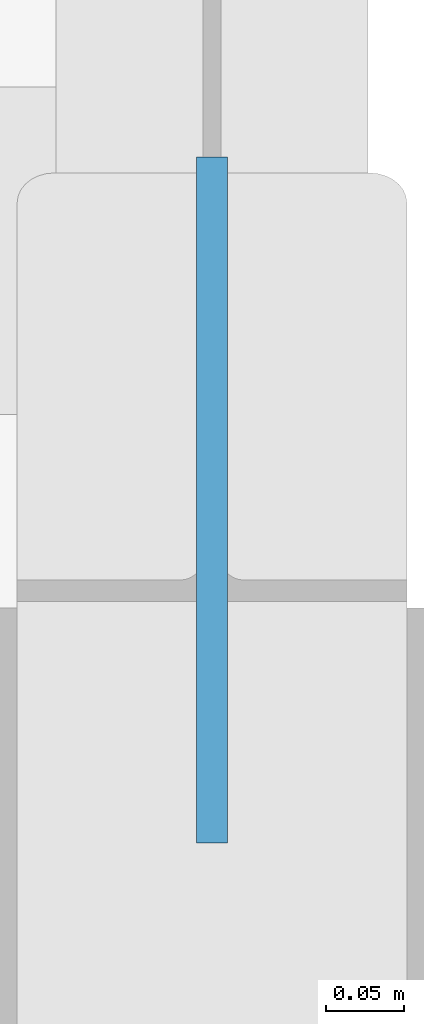
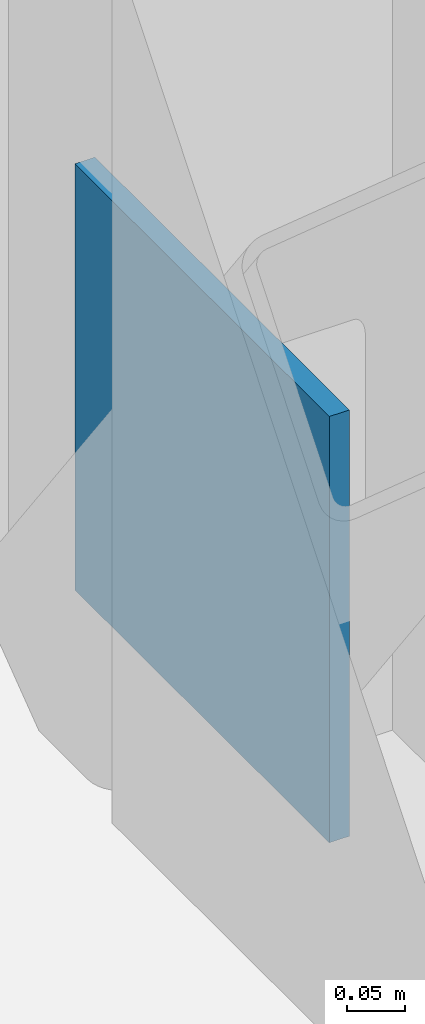
# One storey, part 76 of 96: 1 discrete accessory.
"""IFC4 building model written with IfcOpenShell, lengths in metres."""

from ifc_helpers import new_model, si_unit, direction, frame, origin, origin_2d, place, context, subcontext, project, spatial, rectangle, extrude, material, layer, layer_set, type_object, element, save


model = new_model("IFC4")

# Units and contexts
model_context = context("Model", 3, precision=1e-05, world=origin(), true_north=direction((0.0, 1.0)))
body_context = subcontext(model_context, "Body", "Model", "MODEL_VIEW")
ifc_project = project(units=[si_unit("LENGTHUNIT", "METRE"), si_unit("AREAUNIT", "SQUARE_METRE"), si_unit("VOLUMEUNIT", "CUBIC_METRE"), si_unit("PLANEANGLEUNIT", "RADIAN"), si_unit("MASSUNIT", "GRAM", prefix="KILO")], contexts=[model_context])

# Site, building, storey
site_placement = place(None, origin())
site = spatial("IfcSite", under=ifc_project, at=site_placement, CompositionType="ELEMENT")
building_placement = place(site_placement, origin())
building = spatial("IfcBuilding", under=site, at=building_placement, Name="Varnakota Square Police Headquarters", CompositionType="ELEMENT")
storey_placement = place(building_placement, frame((0.0, 0.0, 4.800048828125)))
storey = spatial("IfcBuildingStorey", under=building, at=storey_placement, Name="L01", CompositionType="ELEMENT", Elevation=4.800048828125)

# Discrete accessory
ifc_material = material(Name="Steel IS 2062 Grade 350", Category="steel")
ifc_layer = layer(ifc_material, 0.64990234375, Name="Steel IS 2062 Grade 350")
ifc_layer_set = layer_set([ifc_layer], Name="Steel IS 2062 Grade 350")
discrete_accessory_type = type_object("IfcDiscreteAccessoryType", Name="ACC-EMB-350", PredefinedType="BRACKET", material=ifc_layer_set)
discrete_accessory_placement = place(storey_placement, frame((42.0, 32.840087890625, 0.02490234375), z_axis=(0.0, 0.0, 1.0), x_axis=(0.0, 1.0, 0.0)))
element("IfcDiscreteAccessory", 1, at=discrete_accessory_placement, inside=storey, type_object=discrete_accessory_type, Name="Brace gusset connection plate BF3 L01 R", PredefinedType="BRACKET", context=body_context, shape_type="SweptSolid", body=[
    extrude(rectangle(XDim=0.43994140625, YDim=0.02001953125, at=origin_2d()), origin(), (0.0, 0.0, 1.0), 0.449951171875),
])

save(model, "model.ifc")
